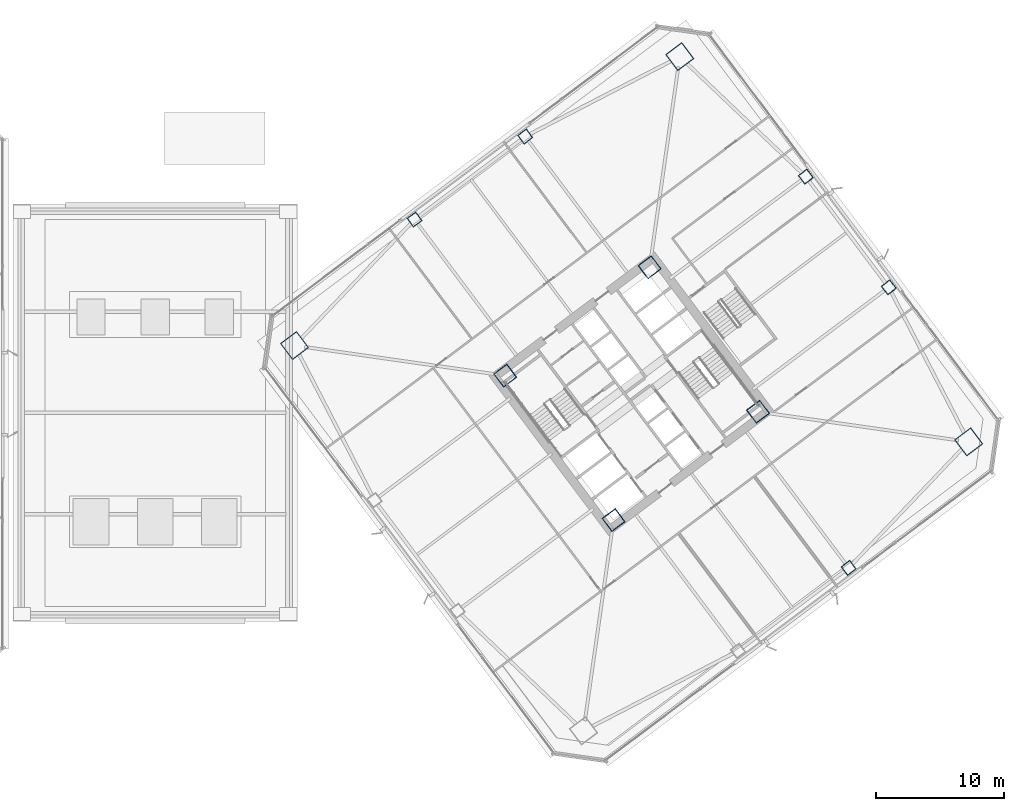
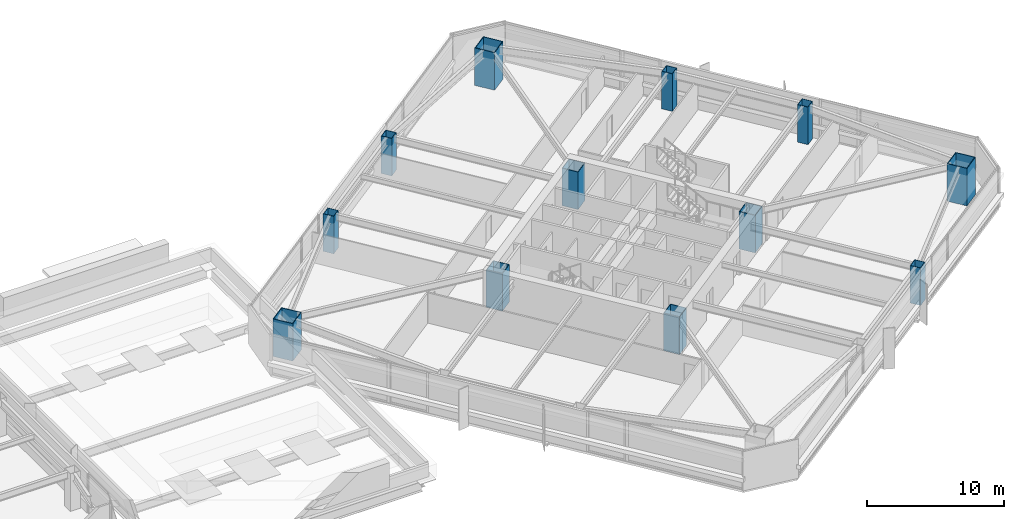
# One storey, part 2 of 62: 12 columns.
"""IFC4 building model written with IfcOpenShell, lengths in metres."""

import ifcopenshell
import ifcopenshell.guid

model = None  # the IFC model being written
_history = None  # IfcOwnerHistory: only IFC2X3 demands one
_inside = {}  # id of a spatial element -> (the spatial element, [elements in it])
_under = {}  # id of a project, library or spatial element -> (it, [spatial elements below it])
_declared = {}  # id of a project -> (the project, [libraries it declares])
_typed = {}  # id of a type object -> (the type object, [elements of that type])
_made_of = {}  # id of a material, layer set ... -> (it, [elements and type objects made of it])


def new_model(schema):
    """Start an empty IFC model of exactly this schema.

    Asked for "IFC4X3", IfcOpenShell would pick the latest addendum, in which some entities
    have other attributes; the version numbers below select the first issue.
    IFC2X3 requires an IfcOwnerHistory on every rooted entity: one is made here for all.
    """
    global model, _history
    if schema == "IFC4X3":
        model = ifcopenshell.file(schema_version=(4, 3, 0, 0))
    else:
        model = ifcopenshell.file(schema=schema)
    _inside.clear()
    _under.clear()
    _declared.clear()
    _typed.clear()
    _made_of.clear()
    _history = None
    if model.schema == "IFC2X3":
        org = make("IfcOrganization", Name="unknown")
        user = make(
            "IfcPersonAndOrganization",
            ThePerson=make("IfcPerson", FamilyName="unknown"),
            TheOrganization=org,
        )
        app = make(
            "IfcApplication",
            ApplicationDeveloper=org,
            Version="unknown",
            ApplicationFullName="unknown",
            ApplicationIdentifier="unknown",
        )
        _history = make(
            "IfcOwnerHistory",
            OwningUser=user,
            OwningApplication=app,
            ChangeAction="ADDED",
            CreationDate=0,
        )
    return model


def make(cls, **values):
    """One entity of the class cls with the attributes given. An attribute that is None is left unset."""
    return model.create_entity(
        cls, **{name: value for name, value in values.items() if value is not None}
    )


def rooted(cls, **values):
    """An entity with a GlobalId (a new one), such as an element, a storey or a relation."""
    return make(cls, GlobalId=ifcopenshell.guid.new(), OwnerHistory=_history, **values)


def si_unit(unit_type, name, prefix=None):
    """IfcSIUnit, for example si_unit("LENGTHUNIT", "METRE", prefix="MILLI")."""
    return make("IfcSIUnit", UnitType=unit_type, Prefix=prefix, Name=name)


def assignment(units):
    """IfcUnitAssignment: the units of a project."""
    return None if units is None else make("IfcUnitAssignment", Units=units)


def point(xyz):
    """IfcCartesianPoint."""
    return None if xyz is None else make("IfcCartesianPoint", Coordinates=xyz)


def direction(xyz):
    """IfcDirection."""
    return None if xyz is None else make("IfcDirection", DirectionRatios=xyz)


def frame(location, z_axis=None, x_axis=None):
    """IfcAxis2Placement3D, a coordinate frame: its origin and axes. An axis left out is left unset."""
    return make(
        "IfcAxis2Placement3D",
        Location=point(location),
        Axis=direction(z_axis),
        RefDirection=direction(x_axis),
    )


def frame_2d(location, x_axis=None):
    """IfcAxis2Placement2D, a coordinate frame in the plane: its origin and x axis."""
    return make(
        "IfcAxis2Placement2D", Location=point(location), RefDirection=direction(x_axis)
    )


def origin():
    """The frame at (0, 0, 0) with its axes left unset."""
    return frame((0.0, 0.0, 0.0))


def origin_2d():
    """The frame at (0, 0) in the plane with its x axis left unset."""
    return frame_2d((0.0, 0.0))


def place(relative_to, where):
    """IfcLocalPlacement: puts the frame where relative to a parent placement (None: the world)."""
    return make(
        "IfcLocalPlacement", PlacementRelTo=relative_to, RelativePlacement=where
    )


def context(
    kind, dimensions, precision=None, world=None, true_north=None, identifier=None
):
    """IfcGeometricRepresentationContext, for example the 3D "Model" context."""
    return make(
        "IfcGeometricRepresentationContext",
        ContextIdentifier=identifier,
        ContextType=kind,
        CoordinateSpaceDimension=dimensions,
        Precision=precision,
        WorldCoordinateSystem=world,
        TrueNorth=true_north,
    )


def subcontext(parent, identifier, kind, view, scale=None):
    """IfcGeometricRepresentationSubContext, for example "Body" below "Model"."""
    return make(
        "IfcGeometricRepresentationSubContext",
        ContextIdentifier=identifier,
        ContextType=kind,
        ParentContext=parent,
        TargetScale=scale,
        TargetView=view,
    )


def project(units=None, contexts=None):
    """IfcProject with its units and contexts."""
    return rooted(
        "IfcProject",
        Name="project",
        RepresentationContexts=contexts,
        UnitsInContext=assignment(units),
    )


def spatial(cls, under=None, at=None, **own):
    """A site, building, storey or space (cls), placed at a placement, below another one or the project."""
    s = rooted(cls, ObjectPlacement=at, **own)
    if under is not None:
        _under.setdefault(under.id(), (under, []))[1].append(s)
    return s


def profile(cls, at=None, kind="AREA", **sizes):
    """A parametric profile (cls). Its sizes go by their IFC names, for example OverallWidth=200.0."""
    return make(cls, ProfileType=kind, Position=at, **sizes)


def hollow_rectangle(**sizes):
    """IfcRectangleHollowProfileDef."""
    return profile("IfcRectangleHollowProfileDef", **sizes)


def extrude(swept, where, along, depth):
    """IfcExtrudedAreaSolid: the profile swept, set in the frame where, extruded along a direction by depth."""
    return make(
        "IfcExtrudedAreaSolid",
        SweptArea=swept,
        Position=where,
        ExtrudedDirection=direction(along),
        Depth=depth,
    )


def shape(context_of_items, identifier, shape_type, items):
    """IfcShapeRepresentation: the items that make up one representation, for example the "Body"."""
    return make(
        "IfcShapeRepresentation",
        ContextOfItems=context_of_items,
        RepresentationIdentifier=identifier,
        RepresentationType=shape_type,
        Items=items,
    )


def material(Name=None, Category=None):
    """IfcMaterial."""
    return make("IfcMaterial", Name=Name, Category=Category)


def material_profile(
    of_material, cross_section, Name=None, Category=None, Priority=None
):
    """IfcMaterialProfile: a cross section and its material."""
    return make(
        "IfcMaterialProfile",
        Name=Name,
        Material=of_material,
        Profile=cross_section,
        Priority=Priority,
        Category=Category,
    )


def profile_set(profiles, Name=None, composite=None):
    """IfcMaterialProfileSet."""
    return make(
        "IfcMaterialProfileSet",
        Name=Name,
        MaterialProfiles=profiles,
        CompositeProfile=composite,
    )


def made_of(thing, what):
    """Note that an element or type object is made of a material, layer set ...; save() writes the relation."""
    if what is not None:
        _made_of.setdefault(what.id(), (what, []))[1].append(thing)
    return thing


def type_object(cls, material=None, **own):
    """A type object (cls), such as IfcWallType, which elements share."""
    return made_of(rooted(cls, **own), material)


def element(
    cls,
    number,
    at=None,
    inside=None,
    cuts=None,
    type_object=None,
    material=None,
    context=None,
    identifier="Body",
    shape_type=None,
    held_by="IfcProductDefinitionShape",
    body=None,
    shapes=None,
    **own,
):
    """One element of the class cls, such as IfcWall. Its Tag is "e" and its number.

    at: its placement. inside: the storey or other place that contains it. cuts: it is an
    opening in that element (IfcRelVoidsElement). A single representation is given by context,
    identifier, shape_type and body (its items); several are given by shapes. held_by: the class
    of the entity that holds the representations. save() writes the other relations.
    """
    e = rooted(cls, Tag="e%d" % number, ObjectPlacement=at, **own)
    if body is not None:
        shapes = [shape(context, identifier, shape_type, body)]
    if shapes is not None:
        e.Representation = make(held_by, Representations=shapes)
    if inside is not None:
        _inside.setdefault(inside.id(), (inside, []))[1].append(e)
    if cuts is not None:
        rooted(
            "IfcRelVoidsElement", RelatingBuildingElement=cuts, RelatedOpeningElement=e
        )
    if type_object is not None:
        _typed.setdefault(type_object.id(), (type_object, []))[1].append(e)
    return made_of(e, material)


def aggregate(whole, parts):
    """IfcRelAggregates: a whole, such as a stair, and the parts it consists of."""
    return rooted("IfcRelAggregates", RelatingObject=whole, RelatedObjects=parts)


def save(model, path):
    """Write the relations noted so far, then the file.

    IfcRelAggregates (storeys below a building ...), IfcRelContainedInSpatialStructure (elements
    in a storey), IfcRelDefinesByType, IfcRelAssociatesMaterial and IfcRelDeclares: one each for
    every whole, place, type object, material and project.
    """
    for whole, parts in _under.values():
        aggregate(whole, parts)
    for where, things in _inside.values():
        rooted(
            "IfcRelContainedInSpatialStructure",
            RelatedElements=things,
            RelatingStructure=where,
        )
    for kind, things in _typed.values():
        rooted("IfcRelDefinesByType", RelatedObjects=things, RelatingType=kind)
    for what, things in _made_of.values():
        rooted("IfcRelAssociatesMaterial", RelatedObjects=things, RelatingMaterial=what)
    for by, libraries in _declared.values():
        rooted("IfcRelDeclares", RelatingContext=by, RelatedDefinitions=libraries)
    model.write(path)


model = new_model("IFC4")

# Units and contexts
model_context = context("Model", 3, precision=1e-05, world=origin(), true_north=direction((0.0, 1.0)))
body_context = subcontext(model_context, "Body", "Model", "MODEL_VIEW")
ifc_project = project(units=[si_unit("LENGTHUNIT", "METRE"), si_unit("AREAUNIT", "SQUARE_METRE"), si_unit("VOLUMEUNIT", "CUBIC_METRE"), si_unit("PLANEANGLEUNIT", "RADIAN"), si_unit("MASSUNIT", "GRAM", prefix="KILO")], contexts=[model_context])

# Site, building, storey
site_placement = place(None, origin())
site = spatial("IfcSite", under=ifc_project, at=site_placement, CompositionType="ELEMENT")
building_placement = place(site_placement, origin())
building = spatial("IfcBuilding", under=site, at=building_placement, Name="Tashvorn Skyway Center", CompositionType="ELEMENT")
storey_placement = place(building_placement, frame((0.0, 0.0, 28.14990234375)))
storey = spatial("IfcBuildingStorey", under=building, at=storey_placement, Name="L06", CompositionType="ELEMENT", Elevation=28.14990234375)

# Columns
ifc_material = material(Name="Steel ASTM A572 Grade 50", Category="steel")
ifc_material_profile_1 = material_profile(ifc_material, hollow_rectangle(XDim=1.300048828125, YDim=1.300048828125, WallThickness=0.050048828125, at=origin_2d()), Name="BOX1300x1300x50")
ifc_profile_set_1 = profile_set([ifc_material_profile_1], Name="Steel ASTM A572 Grade 50")
column_type_1 = type_object("IfcColumnType", Name="COL-BOX1300x1300x50", PredefinedType="COLUMN", material=ifc_profile_set_1)
for number, where, z_axis, x_axis, name in (
    (1, (112.590087890625, 22.1298828125, 0.0), (0.0, 0.0, 1.0), (0.799999996291, 0.600000004945, 0.0), "Tower 2 L06 Core Corner Column CC-SW"),
    (2, (123.8701171875, 30.590087890625, 0.0), (0.0, 0.0, 1.0), (0.799999996291, 0.600000004945, 0.0), "Tower 2 L06 Core Corner Column CC-SE"),
    (3, (115.409912109375, 41.8701171875, 0.0), (0.0, 0.0, 1.0), (0.799999996291, 0.600000004945, 0.0), "Tower 2 L06 Core Corner Column CC-NE"),
    (4, (104.1298828125, 33.409912109375, 0.0), (0.0, 0.0, 1.0), (0.799999996291, 0.600000004945, 0.0), "Tower 2 L06 Core Corner Column CC-NW"),
):
    element("IfcColumn", number, at=place(storey_placement, frame(where, z_axis=z_axis, x_axis=x_axis)), inside=storey, type_object=column_type_1, Name=name, PredefinedType="COLUMN", context=body_context, shape_type="SweptSolid", body=[
        extrude(hollow_rectangle(XDim=1.300048828125, YDim=1.300048828125, WallThickness=0.050048828125, at=origin_2d()), origin(), (0.0, 0.0, 1.0), 3.35009765625),
    ])
ifc_material_profile_2 = material_profile(ifc_material, hollow_rectangle(XDim=1.60009765625, YDim=1.60009765625, WallThickness=0.06005859375, at=origin_2d()), Name="BOX1600x1600x60")
ifc_profile_set_2 = profile_set([ifc_material_profile_2], Name="Steel ASTM A572 Grade 50")
column_type_2 = type_object("IfcColumnType", Name="COL-BOX1600x1600x60", PredefinedType="COLUMN", material=ifc_profile_set_2)
for number, where, z_axis, x_axis, name in (
    (5, (140.320068359375, 28.239990234375, 0.0), (0.0, 0.0, 1.0), (0.799999996291, 0.600000004945, 0.0), "Tower 2 L06 Mega-Column MC-SE"),
    (6, (117.760009765625, 58.320068359375, 0.0), (0.0, 0.0, 1.0), (0.799999996291, 0.600000004945, 0.0), "Tower 2 L06 Mega-Column MC-NE"),
    (7, (87.679931640625, 35.760009765625, 0.0), (0.0, 0.0, 1.0), (0.799999996291, 0.600000004945, 0.0), "Tower 2 L06 Mega-Column MC-NW"),
):
    element("IfcColumn", number, at=place(storey_placement, frame(where, z_axis=z_axis, x_axis=x_axis)), inside=storey, type_object=column_type_2, Name=name, PredefinedType="COLUMN", context=body_context, shape_type="SweptSolid", body=[
        extrude(hollow_rectangle(XDim=1.60009765625, YDim=1.60009765625, WallThickness=0.06005859375, at=origin_2d()), origin(), (0.0, 0.0, 1.0), 3.35009765625),
    ])
ifc_material_profile_3 = material_profile(ifc_material, hollow_rectangle(XDim=0.85009765625, YDim=0.85009765625, WallThickness=0.034912109375, at=origin_2d()), Name="BOX850x850x35")
ifc_profile_set_3 = profile_set([ifc_material_profile_3], Name="Steel ASTM A572 Grade 50")
column_type_3 = type_object("IfcColumnType", Name="COL-BOX850x850x35", PredefinedType="COLUMN", material=ifc_profile_set_3)
for number, where, z_axis, x_axis, name in (
    (8, (130.949951171875, 18.39990234375, 0.0), (0.0, 0.0, 1.0), (0.799999996291, 0.600000004945, 0.0), "Tower 2 L06 Perimeter Column FC-S2"),
    (9, (134.080078125, 40.31005859375, 0.0), (0.0, 0.0, 1.0), (0.799999996291, 0.600000004945, 0.0), "Tower 2 L06 Perimeter Column FC-E1"),
    (10, (127.60009765625, 48.949951171875, 0.0), (0.0, 0.0, 1.0), (0.799999996291, 0.600000004945, 0.0), "Tower 2 L06 Perimeter Column FC-E2"),
    (11, (105.68994140625, 52.080078125, 0.0), (0.0, 0.0, 1.0), (0.799999996291, 0.600000004945, 0.0), "Tower 2 L06 Perimeter Column FC-N1"),
    (12, (97.050048828125, 45.60009765625, 0.0), (0.0, 0.0, 1.0), (0.799999996291, 0.600000004945, 0.0), "Tower 2 L06 Perimeter Column FC-N2"),
):
    element("IfcColumn", number, at=place(storey_placement, frame(where, z_axis=z_axis, x_axis=x_axis)), inside=storey, type_object=column_type_3, Name=name, PredefinedType="COLUMN", context=body_context, shape_type="SweptSolid", body=[
        extrude(hollow_rectangle(XDim=0.85009765625, YDim=0.85009765625, WallThickness=0.034912109375, at=origin_2d()), origin(), (0.0, 0.0, 1.0), 3.35009765625),
    ])

save(model, "model.ifc")
